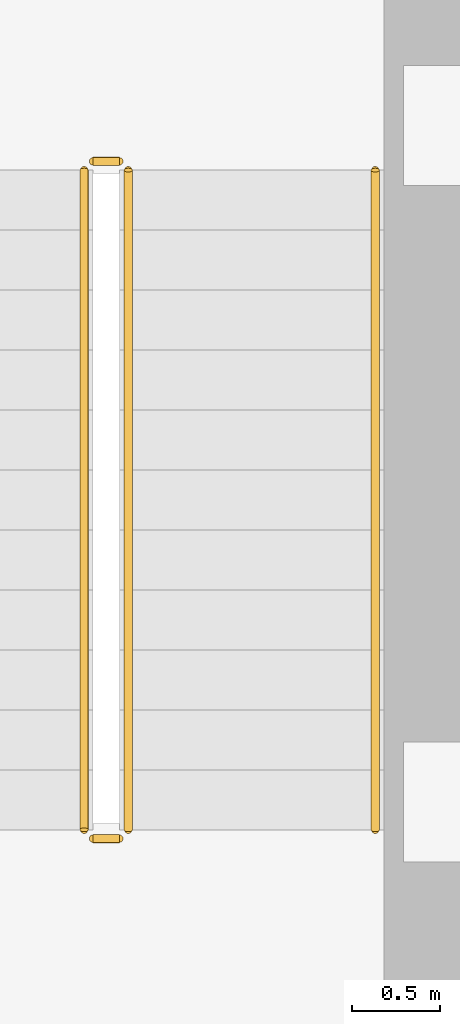
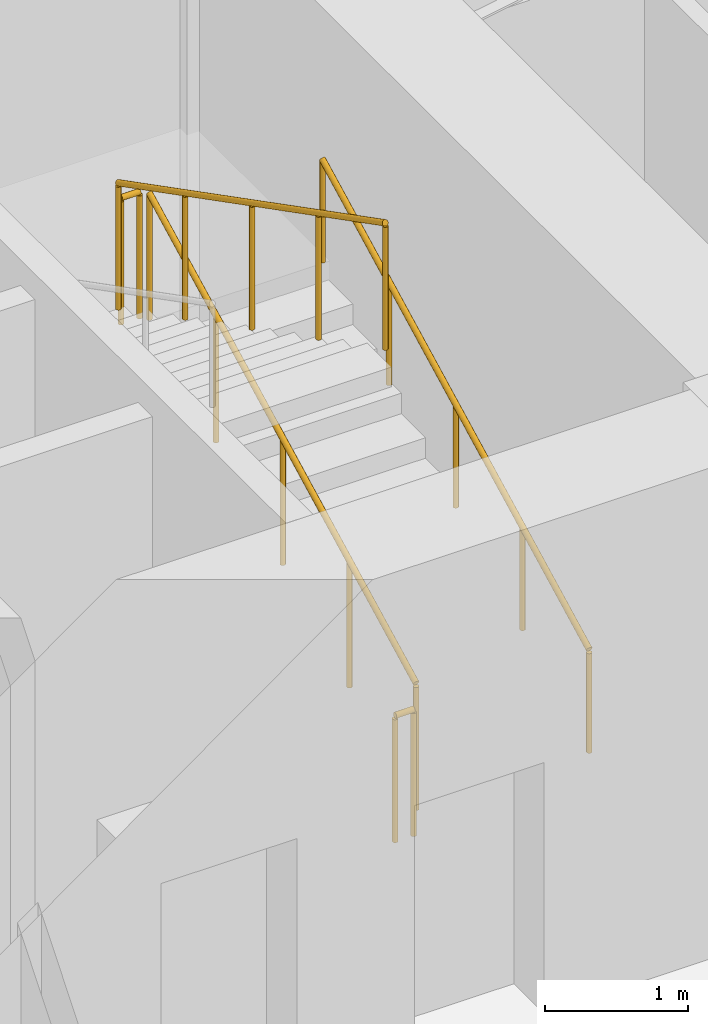
# One storey, part 12 of 14: 5 railings.
"""IFC4 building model written with IfcOpenShell, lengths in metres."""

from ifc_helpers import new_model, si_unit, direction, frame, origin, origin_2d, place, context, subcontext, project, spatial, circle, extrude, material, type_object, element, save


model = new_model("IFC4")

# Units and contexts
model_context = context("Model", 3, precision=1e-05, world=origin(), true_north=direction((0.0, 1.0)))
body_context = subcontext(model_context, "Body", "Model", "MODEL_VIEW")
ifc_project = project(units=[si_unit("LENGTHUNIT", "METRE"), si_unit("AREAUNIT", "SQUARE_METRE"), si_unit("VOLUMEUNIT", "CUBIC_METRE"), si_unit("PLANEANGLEUNIT", "RADIAN"), si_unit("MASSUNIT", "GRAM", prefix="KILO")], contexts=[model_context])

# Site, building, storey
site_placement = place(None, origin())
site = spatial("IfcSite", under=ifc_project, at=site_placement, CompositionType="ELEMENT")
building_placement = place(site_placement, origin())
building = spatial("IfcBuilding", under=site, at=building_placement, Name="Keldmark Tower", CompositionType="ELEMENT")
storey_placement = place(building_placement, frame((0.0, 0.0, 14.39990234375)))
storey = spatial("IfcBuildingStorey", under=building, at=storey_placement, Name="L03", CompositionType="ELEMENT", Elevation=14.39990234375)

# Railings
ifc_material_1 = material(Name="Painted Steel ASTM A500 Grade B", Category="steel")
railing_type_1 = type_object("IfcRailingType", Name="Painted Steel Stair Well Guard 1100 mm", PredefinedType="GUARDRAIL", material=ifc_material_1)
railing_1_placement = place(storey_placement, frame((11.699951171875, 3.35009765625, 0.175048828125)))
element("IfcRailing", 1, at=railing_1_placement, inside=storey, type_object=railing_type_1, Name="L03 ST2 stair guard 1", PredefinedType="GUARDRAIL", context=body_context, shape_type="SweptSolid", body=[
    extrude(circle(Radius=0.02392578125, at=origin_2d()), frame((0.0, 0.0, 1.076171875), z_axis=(0.0, 0.889130600629, 0.457653553493), x_axis=(-1.0, 0.0, 0.0)), (0.0, 0.0, 1.0), 4.206298828125),
    extrude(circle(Radius=0.02099609375, at=origin_2d()), origin(), (0.0, 0.0, 1.0), 1.052001953125),
    extrude(circle(Radius=0.02099609375, at=origin_2d()), frame((0.0, 0.93505859375, 0.481201171875)), (0.0, 0.0, 1.0), 1.052001953125),
    extrude(circle(Radius=0.02099609375, at=origin_2d()), frame((0.0, 1.8701171875, 0.96240234375)), (0.0, 0.0, 1.0), 1.052001953125),
    extrude(circle(Radius=0.02099609375, at=origin_2d()), frame((0.0, 2.804931640625, 1.44384765625)), (0.0, 0.0, 1.0), 1.052001953125),
    extrude(circle(Radius=0.02099609375, at=origin_2d()), frame((0.0, 3.739990234375, 1.925048828125)), (0.0, 0.0, 1.0), 1.052001953125),
])
railing_2_placement = place(storey_placement, frame((11.64990234375, 7.139892578125, 2.10009765625)))
element("IfcRailing", 2, at=railing_2_placement, inside=storey, type_object=railing_type_1, Name="L03 ST2 stair guard 2", PredefinedType="GUARDRAIL", context=body_context, shape_type="SweptSolid", body=[
    extrude(circle(Radius=0.02392578125, at=origin_2d()), frame((0.0, 0.0, 1.076171875), z_axis=(-1.0, 0.0, 0.0), x_axis=(0.0, -1.0, 0.0)), (0.0, 0.0, 1.0), 0.14990234375),
    extrude(circle(Radius=0.02099609375, at=origin_2d()), origin(), (0.0, 0.0, 1.0), 1.052001953125),
    extrude(circle(Radius=0.02099609375, at=origin_2d()), frame((-0.14990234375, 0.0, 0.0)), (0.0, 0.0, 1.0), 1.052001953125),
])
railing_3_placement = place(storey_placement, frame((11.449951171875, 7.090087890625, 2.275146484375)))
element("IfcRailing", 3, at=railing_3_placement, inside=storey, type_object=railing_type_1, Name="L03 ST2 stair guard 3", PredefinedType="GUARDRAIL", context=body_context, shape_type="SweptSolid", body=[
    extrude(circle(Radius=0.02392578125, at=origin_2d()), frame((0.0, 0.0, 1.076171875), z_axis=(0.0, -0.889130600629, 0.457653553493), x_axis=(1.0, 0.0, 0.0)), (0.0, 0.0, 1.0), 4.206298828125),
    extrude(circle(Radius=0.02099609375, at=origin_2d()), origin(), (0.0, 0.0, 1.0), 1.052001953125),
    extrude(circle(Radius=0.02099609375, at=origin_2d()), frame((0.0, -0.93505859375, 0.481201171875)), (0.0, 0.0, 1.0), 1.052001953125),
    extrude(circle(Radius=0.02099609375, at=origin_2d()), frame((0.0, -1.8701171875, 0.96240234375)), (0.0, 0.0, 1.0), 1.052001953125),
    extrude(circle(Radius=0.02099609375, at=origin_2d()), frame((0.0, -2.804931640625, 1.44384765625)), (0.0, 0.0, 1.0), 1.052001953125),
    extrude(circle(Radius=0.02099609375, at=origin_2d()), frame((0.0, -3.739990234375, 1.925048828125)), (0.0, 0.0, 1.0), 1.052001953125),
])
railing_4_placement = place(storey_placement, frame((11.64990234375, 3.300048828125, 0.0)))
element("IfcRailing", 4, at=railing_4_placement, inside=storey, type_object=railing_type_1, Name="L03 ST2 stair guard 4", PredefinedType="GUARDRAIL", context=body_context, shape_type="SweptSolid", body=[
    extrude(circle(Radius=0.02392578125, at=origin_2d()), frame((0.0, 0.0, 1.076171875), z_axis=(-1.0, 0.0, 0.0), x_axis=(0.0, -1.0, 0.0)), (0.0, 0.0, 1.0), 0.14990234375),
    extrude(circle(Radius=0.02099609375, at=origin_2d()), origin(), (0.0, 0.0, 1.0), 1.052001953125),
    extrude(circle(Radius=0.02099609375, at=origin_2d()), frame((-0.14990234375, 0.0, 0.0)), (0.0, 0.0, 1.0), 1.052001953125),
])
ifc_material_2 = material(Name="Stainless Steel AISI 316L", Category="steel")
railing_type_2 = type_object("IfcRailingType", Name="Stainless Steel Stair Handrail 900 mm", PredefinedType="HANDRAIL", material=ifc_material_2)
railing_5_placement = place(storey_placement, frame((13.10009765625, 3.35009765625, 0.175048828125)))
element("IfcRailing", 5, at=railing_5_placement, inside=storey, type_object=railing_type_2, Name="L03 ST2 stair handrail 1", PredefinedType="HANDRAIL", context=body_context, shape_type="SweptSolid", body=[
    extrude(circle(Radius=0.02392578125, at=origin_2d()), frame((0.0, 0.0, 0.8759765625), z_axis=(0.0, 0.889130600629, 0.457653553493), x_axis=(-1.0, 0.0, 0.0)), (0.0, 0.0, 1.0), 4.206298828125),
    extrude(circle(Radius=0.02099609375, at=origin_2d()), origin(), (0.0, 0.0, 1.0), 0.851806640625),
    extrude(circle(Radius=0.02099609375, at=origin_2d()), frame((0.0, 0.93505859375, 0.481201171875)), (0.0, 0.0, 1.0), 0.851806640625),
    extrude(circle(Radius=0.02099609375, at=origin_2d()), frame((0.0, 1.8701171875, 0.96240234375)), (0.0, 0.0, 1.0), 0.851806640625),
    extrude(circle(Radius=0.02099609375, at=origin_2d()), frame((0.0, 2.804931640625, 1.44384765625)), (0.0, 0.0, 1.0), 0.851806640625),
    extrude(circle(Radius=0.02099609375, at=origin_2d()), frame((0.0, 3.739990234375, 1.925048828125)), (0.0, 0.0, 1.0), 0.851806640625),
])

save(model, "model.ifc")
